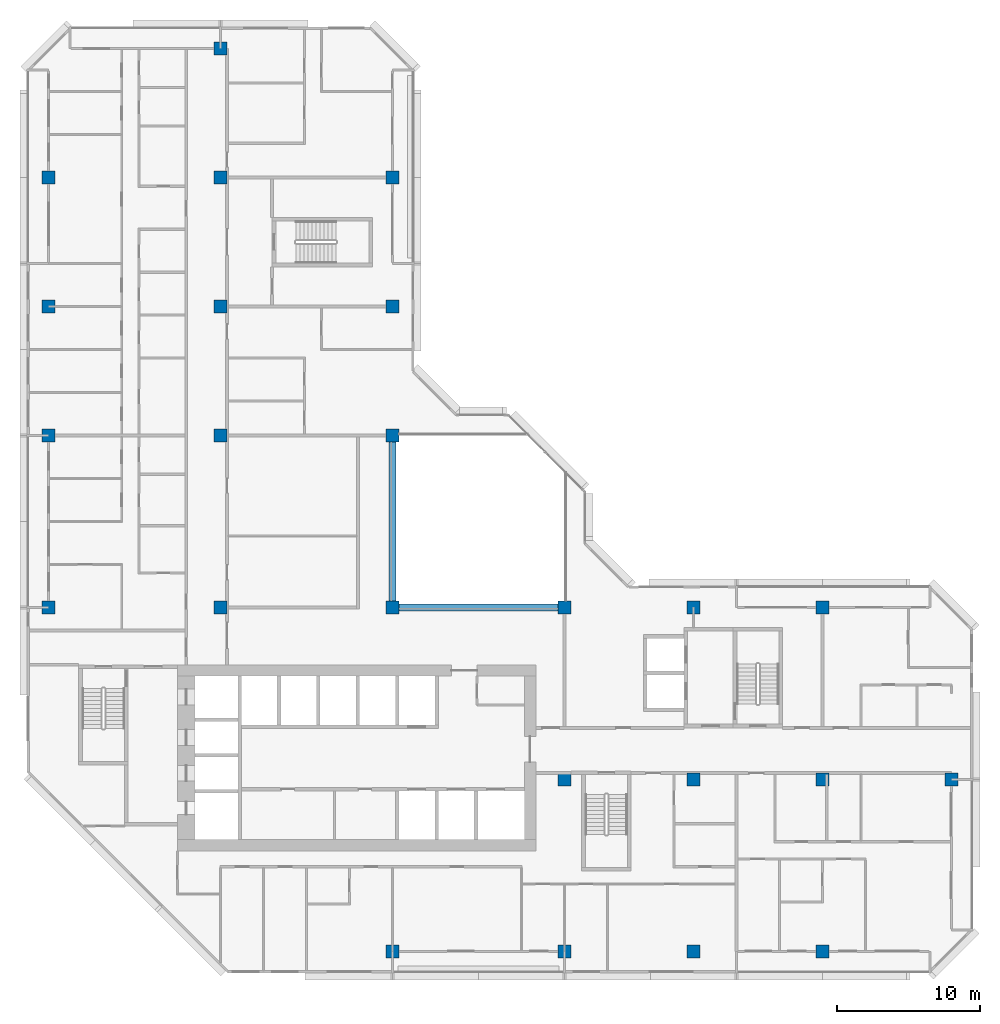
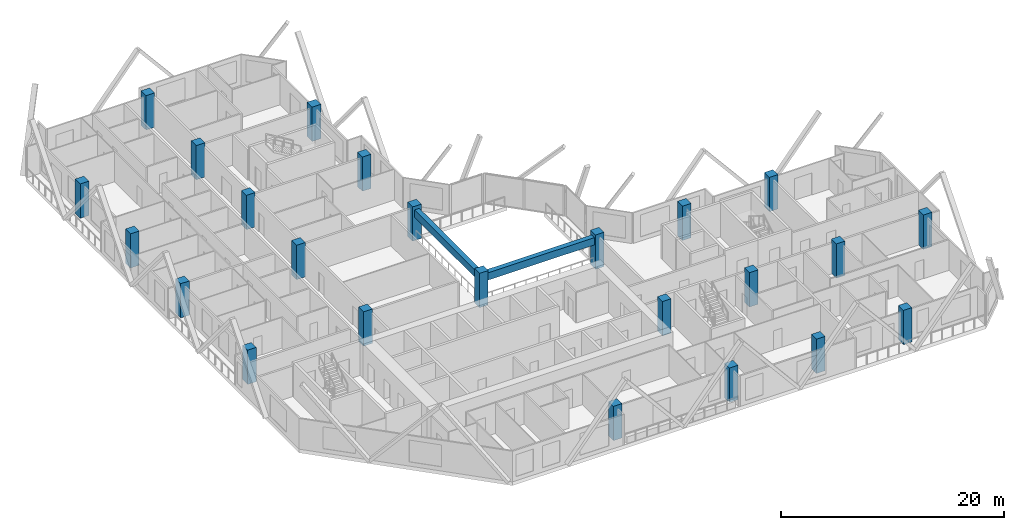
# One storey, part 1 of 15: 24 columns, 2 beams.
"""IFC4 building model written with IfcOpenShell, lengths in metres."""

from ifc_helpers import new_model, si_unit, direction, frame, origin, origin_2d, place, context, subcontext, project, spatial, rectangle, extrude, material, material_profile, profile_set, type_object, element, save


model = new_model("IFC4")

# Units and contexts
model_context = context("Model", 3, precision=1e-05, world=origin(), true_north=direction((0.0, 1.0)))
body_context = subcontext(model_context, "Body", "Model", "MODEL_VIEW")
ifc_project = project(units=[si_unit("LENGTHUNIT", "METRE"), si_unit("AREAUNIT", "SQUARE_METRE"), si_unit("VOLUMEUNIT", "CUBIC_METRE"), si_unit("PLANEANGLEUNIT", "RADIAN"), si_unit("MASSUNIT", "GRAM", prefix="KILO")], contexts=[model_context])

# Site, building, storey
site_placement = place(None, origin())
site = spatial("IfcSite", under=ifc_project, at=site_placement, CompositionType="ELEMENT")
building_placement = place(site_placement, origin())
building = spatial("IfcBuilding", under=site, at=building_placement, Name="Chenar Terraces", CompositionType="ELEMENT")
storey_placement = place(building_placement, frame((0.0, 0.0, 172.39990234375)))
storey = spatial("IfcBuildingStorey", under=building, at=storey_placement, Name="L39", CompositionType="ELEMENT", Elevation=172.39990234375)

# Columns
ifc_material_1 = material(Name="Concrete C60/75", Category="concrete")
ifc_material_profile_1 = material_profile(ifc_material_1, rectangle(XDim=0.89990234375, YDim=0.89990234375, at=origin_2d()), Name="C 900 x 900")
ifc_profile_set_1 = profile_set([ifc_material_profile_1], Name="Concrete C60/75")
column_type = type_object("IfcColumnType", Name="Column C 900 x 900 Concrete C60/75", PredefinedType="COLUMN", material=ifc_profile_set_1)
column_1_placement = place(storey_placement, frame((0.0, 24.0, 0.0), z_axis=(0.0, 0.0, 1.0), x_axis=(1.0, 0.0, 0.0)))
element("IfcColumn", 1, at=column_1_placement, inside=storey, type_object=column_type, Name="Column 5/G L39", PredefinedType="COLUMN", context=body_context, shape_type="SweptSolid", body=[
    extrude(rectangle(XDim=0.89990234375, YDim=0.89990234375, at=origin_2d()), origin(), (0.0, 0.0, 1.0), 3.75),
])
column_2_placement = place(storey_placement, frame((0.0, 36.0, 0.0), z_axis=(0.0, 0.0, 1.0), x_axis=(1.0, 0.0, 0.0)))
element("IfcColumn", 2, at=column_2_placement, inside=storey, type_object=column_type, Name="Column 5/H L39", PredefinedType="COLUMN", context=body_context, shape_type="SweptSolid", body=[
    extrude(rectangle(XDim=0.89990234375, YDim=0.89990234375, at=origin_2d()), origin(), (0.0, 0.0, 1.0), 3.75),
])
column_3_placement = place(storey_placement, frame((0.0, 45.0, 0.0), z_axis=(0.0, 0.0, 1.0), x_axis=(1.0, 0.0, 0.0)))
element("IfcColumn", 3, at=column_3_placement, inside=storey, type_object=column_type, Name="Column 5/J L39", PredefinedType="COLUMN", context=body_context, shape_type="SweptSolid", body=[
    extrude(rectangle(XDim=0.89990234375, YDim=0.89990234375, at=origin_2d()), origin(), (0.0, 0.0, 1.0), 3.75),
])
for number, where, z_axis, x_axis, name in (
    (4, (0.0, 54.0, 0.0), (0.0, 0.0, 1.0), (1.0, 0.0, 0.0), "Column 5/K L39"),
    (5, (12.0, 24.0, 0.0), (0.0, 0.0, 1.0), (1.0, 0.0, 0.0), "Column 6/G L39"),
    (6, (12.0, 36.0, 0.0), (0.0, 0.0, 1.0), (1.0, 0.0, 0.0), "Column 6/H L39"),
    (7, (12.0, 45.0, 0.0), (0.0, 0.0, 1.0), (1.0, 0.0, 0.0), "Column 6/J L39"),
    (8, (12.0, 54.0, 0.0), (0.0, 0.0, 1.0), (1.0, 0.0, 0.0), "Column 6/K L39"),
    (9, (12.0, 63.0, 0.0), (0.0, 0.0, 1.0), (1.0, 0.0, 0.0), "Column 6/L L39"),
    (10, (24.0, 0.0, 0.0), (0.0, 0.0, 1.0), (1.0, 0.0, 0.0), "Column 7/E L39"),
    (11, (24.0, 24.0, 0.0), (0.0, 0.0, 1.0), (1.0, 0.0, 0.0), "Column 7/G L39"),
    (12, (24.0, 36.0, 0.0), (0.0, 0.0, 1.0), (1.0, 0.0, 0.0), "Column 7/H L39"),
    (13, (24.0, 45.0, 0.0), (0.0, 0.0, 1.0), (1.0, 0.0, 0.0), "Column 7/J L39"),
    (14, (24.0, 54.0, 0.0), (0.0, 0.0, 1.0), (1.0, 0.0, 0.0), "Column 7/K L39"),
    (15, (36.0, 0.0, 0.0), (0.0, 0.0, 1.0), (1.0, 0.0, 0.0), "Column 8/E L39"),
    (16, (36.0, 12.0, 0.0), (0.0, 0.0, 1.0), (1.0, 0.0, 0.0), "Column 8/F L39"),
    (17, (36.0, 24.0, 0.0), (0.0, 0.0, 1.0), (1.0, 0.0, 0.0), "Column 8/G L39"),
    (18, (45.0, 0.0, 0.0), (0.0, 0.0, 1.0), (1.0, 0.0, 0.0), "Column 9/E L39"),
    (19, (45.0, 12.0, 0.0), (0.0, 0.0, 1.0), (1.0, 0.0, 0.0), "Column 9/F L39"),
    (20, (45.0, 24.0, 0.0), (0.0, 0.0, 1.0), (1.0, 0.0, 0.0), "Column 9/G L39"),
    (21, (54.0, 0.0, 0.0), (0.0, 0.0, 1.0), (1.0, 0.0, 0.0), "Column 10/E L39"),
    (22, (54.0, 12.0, 0.0), (0.0, 0.0, 1.0), (1.0, 0.0, 0.0), "Column 10/F L39"),
    (23, (54.0, 24.0, 0.0), (0.0, 0.0, 1.0), (1.0, 0.0, 0.0), "Column 10/G L39"),
    (24, (63.0, 12.0, 0.0), (0.0, 0.0, 1.0), (1.0, 0.0, 0.0), "Column 11/F L39"),
):
    element("IfcColumn", number, at=place(storey_placement, frame(where, z_axis=z_axis, x_axis=x_axis)), inside=storey, type_object=column_type, Name=name, PredefinedType="COLUMN", context=body_context, shape_type="SweptSolid", body=[
        extrude(rectangle(XDim=0.89990234375, YDim=0.89990234375, at=origin_2d()), origin(), (0.0, 0.0, 1.0), 3.75),
    ])

# Beams
ifc_material_2 = material(Name="Concrete C40/50", Category="concrete")
ifc_material_profile_2 = material_profile(ifc_material_2, rectangle(XDim=0.5, YDim=0.800048828125, at=origin_2d()), Name="RC 500 x 800")
ifc_profile_set_2 = profile_set([ifc_material_profile_2], Name="Concrete C40/50")
beam_type = type_object("IfcBeamType", Name="Atrium edge beam 500 x 800 Concrete C40/50", PredefinedType="BEAM", material=ifc_profile_set_2)
for number, where, z_axis, x_axis, name in (
    (25, (24.449951171875, 24.0, 2.9501953125), (1.0, 0.0, 0.0), (0.0, 1.0, 0.0), "Atrium edge beam L40 1"),
    (26, (24.0, 35.550048828125, 2.9501953125), (0.0, -1.0, 0.0), (1.0, 0.0, 0.0), "Atrium edge beam L40 4"),
):
    element("IfcBeam", number, at=place(storey_placement, frame(where, z_axis=z_axis, x_axis=x_axis)), inside=storey, type_object=beam_type, Name=name, PredefinedType="BEAM", context=body_context, shape_type="SweptSolid", body=[
        extrude(rectangle(XDim=0.5, YDim=0.800048828125, at=origin_2d()), origin(), (0.0, 0.0, 1.0), 11.10009765625),
    ])

save(model, "model.ifc")
